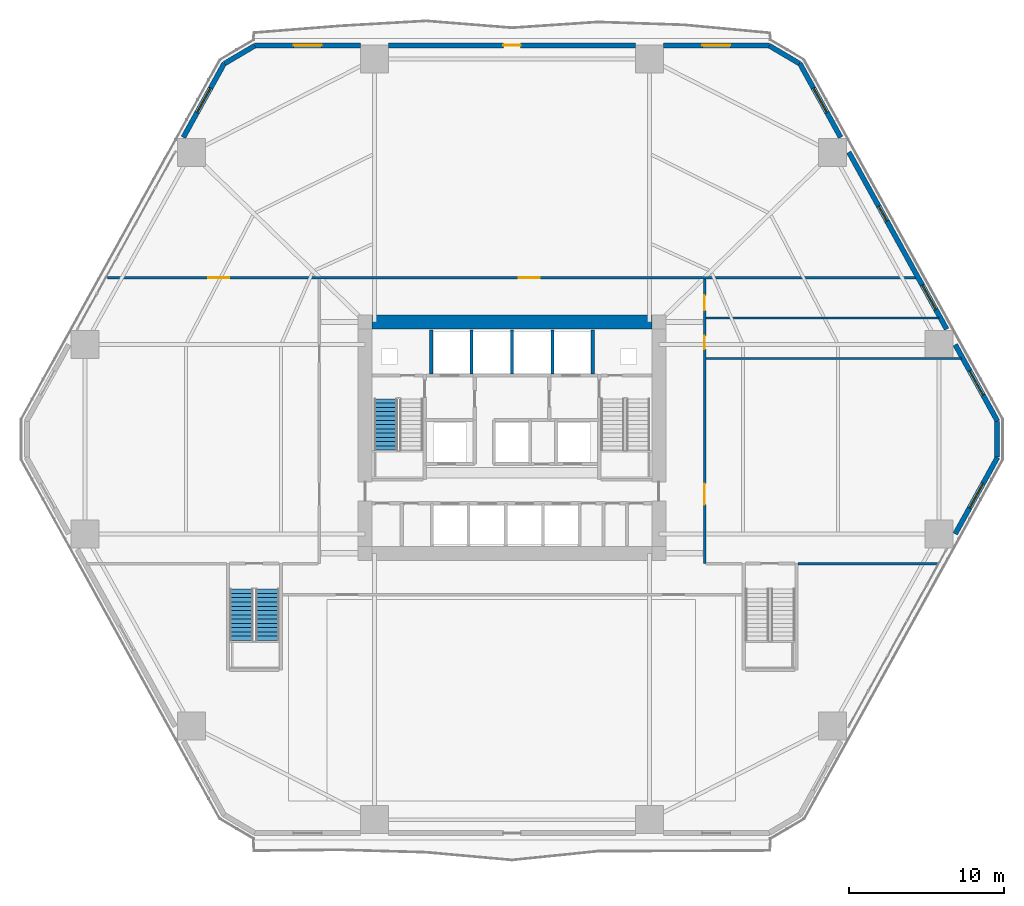
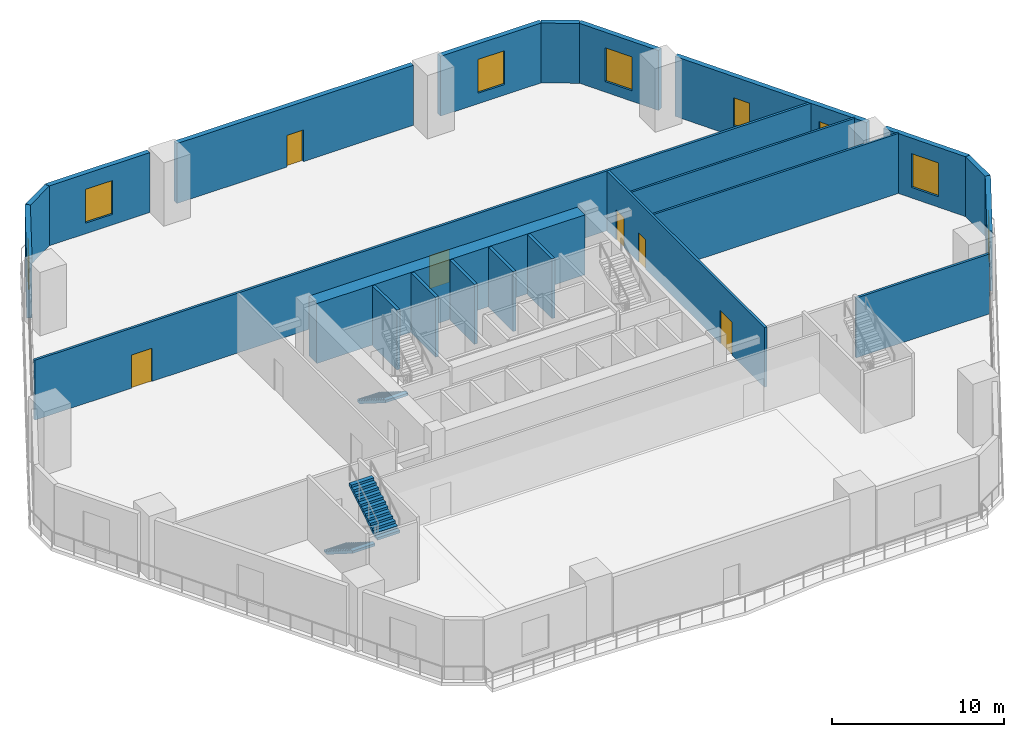
# One storey, part 11 of 18: 22 walls, 8 windows, 6 doors, 3 stair flights, 14 openings, 2 elements without a shape of their own.
"""IFC4 building model written with IfcOpenShell, lengths in metres."""

from ifc_helpers import new_model, si_unit, direction, frame, frame_2d, origin, place, context, subcontext, project, spatial, polyline, rectangle, outline, extrude, material, layer, layer_set, type_object, element, fill, aggregate, save


model = new_model("IFC4")

# Units and contexts
model_context = context("Model", 3, precision=1e-05, world=origin(), true_north=direction((0.0, 1.0)))
body_context = subcontext(model_context, "Body", "Model", "MODEL_VIEW")
ifc_project = project(units=[si_unit("LENGTHUNIT", "METRE"), si_unit("AREAUNIT", "SQUARE_METRE"), si_unit("VOLUMEUNIT", "CUBIC_METRE"), si_unit("PLANEANGLEUNIT", "RADIAN"), si_unit("MASSUNIT", "GRAM", prefix="KILO")], contexts=[model_context])

# Site, building, storey
site_placement = place(None, origin())
site = spatial("IfcSite", under=ifc_project, at=site_placement, CompositionType="ELEMENT")
building_placement = place(site_placement, origin())
building = spatial("IfcBuilding", under=site, at=building_placement, Name="Cinnabar Lancet Tower", CompositionType="ELEMENT")
storey_placement = place(building_placement, frame((0.0, 0.0, 10.5)))
storey = spatial("IfcBuildingStorey", under=building, at=storey_placement, Name="L02", CompositionType="ELEMENT", Elevation=10.5)

# Wall
ifc_material_1 = material(Name="Acoustic twin-stud gypsum partition", Category="gypsum")
ifc_layer_1 = layer(ifc_material_1, 0.159912109375)
ifc_layer_set_1 = layer_set([ifc_layer_1], Name="Acoustic twin-stud gypsum partition")
wall_type_1 = type_object("IfcWallType", Name="ARC-WL-CORR-160", PredefinedType="PARTITIONING", material=ifc_layer_set_1)
wall_1_placement = place(storey_placement, frame((50.824951171875, 17.800048828125, 0.0), z_axis=(0.0, 0.0, 1.0), x_axis=(1.0, 0.0, 0.0)))
element("IfcWall", 1, at=wall_1_placement, inside=storey, type_object=wall_type_1, Name="PW-L02-ESF", PredefinedType="PARTITIONING", context=body_context, shape_type="SweptSolid", body=[
    extrude(rectangle(XDim=8.955078125, YDim=0.159912109375, at=frame_2d((4.4775390625, 0.0))), origin(), (0.0, 0.0, 1.0), 4.25),
])

# Wall, openings, doors
wall_2_placement = place(storey_placement, frame((44.800048828125, 17.800048828125, 0.0), z_axis=(0.0, 0.0, 1.0), x_axis=(0.0, 1.0, 0.0)))
wall_2 = element("IfcWall", 2, at=wall_2_placement, inside=storey, type_object=wall_type_1, Name="PW-L02-EWG", PredefinedType="PARTITIONING", context=body_context, shape_type="SweptSolid", body=[
    extrude(rectangle(XDim=18.31494140625, YDim=0.159912109375, at=frame_2d((9.157470703125, 0.0))), origin(), (0.0, 0.0, 1.0), 4.25),
])
opening_1_placement = place(wall_2_placement, frame((3.800048828125, 0.0, 0.0)))
opening_1 = element("IfcOpeningElement", 3, at=opening_1_placement, cuts=wall_2, Name="Opening UD-02", PredefinedType="OPENING", context=body_context, shape_type="SweptSolid", body=[
    extrude(rectangle(XDim=1.35009765625, YDim=2.35009765625, at=frame_2d((0.675048828125, 1.175048828125))), frame((0.0, 0.08984375, 0.0), z_axis=(0.0, -1.0, 0.0), x_axis=(1.0, 0.0, 0.0)), (0.0, 0.0, 1.0), 0.179931640625),
])
opening_2_placement = place(wall_2_placement, frame((13.800048828125, 0.0, 0.0)))
opening_2 = element("IfcOpeningElement", 4, at=opening_2_placement, cuts=wall_2, Name="Opening BD-01", PredefinedType="OPENING", context=body_context, shape_type="SweptSolid", body=[
    extrude(rectangle(XDim=0.860107421875, YDim=2.10009765625, at=frame_2d((0.43017578125, 1.050048828125))), frame((0.0, 0.08984375, 0.0), z_axis=(0.0, -1.0, 0.0), x_axis=(1.0, 0.0, 0.0)), (0.0, 0.0, 1.0), 0.179931640625),
])
opening_3_placement = place(wall_2_placement, frame((16.300048828125, 0.0, 0.0)))
opening_3 = element("IfcOpeningElement", 5, at=opening_3_placement, cuts=wall_2, Name="Opening BD-02", PredefinedType="OPENING", context=body_context, shape_type="SweptSolid", body=[
    extrude(rectangle(XDim=0.9599609375, YDim=2.14990234375, at=frame_2d((0.47998046875, 1.074951171875))), frame((0.0, 0.08984375, 0.0), z_axis=(0.0, -1.0, 0.0), x_axis=(1.0, 0.0, 0.0)), (0.0, 0.0, 1.0), 0.179931640625),
])
ifc_material_2 = material(Name="Accessible wide-leaf washroom door", Category="wood")
door_type_1 = type_object("IfcDoorType", Name="ARC-DR-ACCWC", OperationType="NOTDEFINED", PredefinedType="DOOR", material=ifc_material_2)
door_1_placement = place(opening_3_placement, origin())
door_1 = element("IfcDoor", 6, at=door_1_placement, inside=storey, type_object=door_type_1, Name="DR-L02-ACCWC", OperationType="SINGLE_SWING_RIGHT", OverallHeight=2.14990234375, OverallWidth=0.9599609375, PredefinedType="DOOR", context=body_context, shape_type="SweptSolid", body=[
    extrude(rectangle(XDim=0.9599609375, YDim=2.14990234375, at=frame_2d((0.47998046875, 1.074951171875))), frame((0.0, 0.02490234375, 0.0), z_axis=(0.0, -1.0, 0.0), x_axis=(1.0, 0.0, 0.0)), (0.0, 0.0, 1.0), 0.050048828125),
])
fill(opening_3, door_1)
ifc_material_3 = material(Name="Moisture-resistant timber bathroom door", Category="wood")
door_type_2 = type_object("IfcDoorType", Name="ARC-DR-BATH", OperationType="NOTDEFINED", PredefinedType="DOOR", material=ifc_material_3)
door_2_placement = place(opening_2_placement, origin())
door_2 = element("IfcDoor", 7, at=door_2_placement, inside=storey, type_object=door_type_2, Name="DR-L02-PUBWC", OperationType="SINGLE_SWING_LEFT", OverallHeight=2.10009765625, OverallWidth=0.860107421875, PredefinedType="DOOR", context=body_context, shape_type="SweptSolid", body=[
    extrude(rectangle(XDim=0.860107421875, YDim=2.10009765625, at=frame_2d((0.43017578125, 1.050048828125))), frame((0.0, 0.02490234375, 0.0), z_axis=(0.0, -1.0, 0.0), x_axis=(1.0, 0.0, 0.0)), (0.0, 0.0, 1.0), 0.050048828125),
])
fill(opening_2, door_2)
ifc_material_4 = material(Name="Double-leaf solid timber penthouse entrance door", Category="wood")
door_type_3 = type_object("IfcDoorType", Name="ARC-DR-UNIT-PH", OperationType="NOTDEFINED", PredefinedType="DOOR", material=ifc_material_4)
door_3_placement = place(opening_1_placement, origin())
door_3 = element("IfcDoor", 8, at=door_3_placement, inside=storey, type_object=door_type_3, Name="DR-L02-EAST1", OperationType="SINGLE_SWING_RIGHT", OverallHeight=2.35009765625, OverallWidth=1.35009765625, PredefinedType="DOOR", context=body_context, shape_type="SweptSolid", body=[
    extrude(rectangle(XDim=1.35009765625, YDim=2.35009765625, at=frame_2d((0.675048828125, 1.175048828125))), frame((0.0, 0.02490234375, 0.0), z_axis=(0.0, -1.0, 0.0), x_axis=(1.0, 0.0, 0.0)), (0.0, 0.0, 1.0), 0.050048828125),
])
fill(opening_1, door_3)

wall_3_placement = place(storey_placement, frame((6.345947265625, 36.199951171875, 0.0), z_axis=(0.0, 0.0, 1.0), x_axis=(1.0, 0.0, 0.0)))
wall_3 = element("IfcWall", 9, at=wall_3_placement, inside=storey, type_object=wall_type_1, Name="PW-L02-NHL", PredefinedType="PARTITIONING", context=body_context, shape_type="SweptSolid", body=[
    extrude(rectangle(XDim=52.108154296875, YDim=0.159912109375, at=frame_2d((26.05419921875, 0.0))), origin(), (0.0, 0.0, 1.0), 4.25),
])
opening_4_placement = place(wall_3_placement, frame((6.5, 0.0, 0.0)))
opening_4 = element("IfcOpeningElement", 10, at=opening_4_placement, cuts=wall_3, Name="Opening UD-02", PredefinedType="OPENING", context=body_context, shape_type="SweptSolid", body=[
    extrude(rectangle(XDim=1.35009765625, YDim=2.35009765625, at=frame_2d((0.675048828125, 1.175048828125))), frame((0.0, 0.08984375, 0.0), z_axis=(0.0, -1.0, 0.0), x_axis=(1.0, 0.0, 0.0)), (0.0, 0.0, 1.0), 0.179931640625),
])
opening_5_placement = place(wall_3_placement, frame((26.5, 0.0, 0.0)))
opening_5 = element("IfcOpeningElement", 11, at=opening_5_placement, cuts=wall_3, Name="Opening UD-02", PredefinedType="OPENING", context=body_context, shape_type="SweptSolid", body=[
    extrude(rectangle(XDim=1.35009765625, YDim=2.35009765625, at=frame_2d((0.675048828125, 1.175048828125))), frame((0.0, 0.08984375, 0.0), z_axis=(0.0, -1.0, 0.0), x_axis=(1.0, 0.0, 0.0)), (0.0, 0.0, 1.0), 0.179931640625),
])
door_4_placement = place(opening_4_placement, origin())
door_4 = element("IfcDoor", 12, at=door_4_placement, inside=storey, type_object=door_type_3, Name="DR-L02-NORTH1", OperationType="SINGLE_SWING_LEFT", OverallHeight=2.35009765625, OverallWidth=1.35009765625, PredefinedType="DOOR", context=body_context, shape_type="SweptSolid", body=[
    extrude(rectangle(XDim=1.35009765625, YDim=2.35009765625, at=frame_2d((0.675048828125, 1.175048828125))), frame((0.0, 0.02490234375, 0.0), z_axis=(0.0, -1.0, 0.0), x_axis=(1.0, 0.0, 0.0)), (0.0, 0.0, 1.0), 0.050048828125),
])
fill(opening_4, door_4)
door_5_placement = place(opening_5_placement, origin())
door_5 = element("IfcDoor", 13, at=door_5_placement, inside=storey, type_object=door_type_3, Name="DR-L02-NORTH2", OperationType="SINGLE_SWING_RIGHT", OverallHeight=2.35009765625, OverallWidth=1.35009765625, PredefinedType="DOOR", context=body_context, shape_type="SweptSolid", body=[
    extrude(rectangle(XDim=1.35009765625, YDim=2.35009765625, at=frame_2d((0.675048828125, 1.175048828125))), frame((0.0, 0.02490234375, 0.0), z_axis=(0.0, -1.0, 0.0), x_axis=(1.0, 0.0, 0.0)), (0.0, 0.0, 1.0), 0.050048828125),
])
fill(opening_5, door_5)

# Walls
ifc_material_5 = material(Name="Autoclaved aerated concrete blockwork", Category="masonry")
ifc_layer_2 = layer(ifc_material_5, 0.199951171875)
ifc_layer_set_2 = layer_set([ifc_layer_2], Name="Autoclaved aerated concrete blockwork")
wall_type_2 = type_object("IfcWallType", Name="ARC-WL-SHAFT-200", PredefinedType="PLUMBINGWALL", material=ifc_layer_set_2)
for number, where, z_axis, x_axis, name in (
    (14, (27.199951171875, 30.0, 0.0), (0.0, 0.0, 1.0), (0.0, 1.0, 0.0), "CW-NSH-D1-L02"),
    (15, (29.800048828125, 30.0, 0.0), (0.0, 0.0, 1.0), (0.0, 1.0, 0.0), "CW-NSH-D2-L02"),
    (16, (32.39990234375, 30.0, 0.0), (0.0, 0.0, 1.0), (0.0, 1.0, 0.0), "CW-NSH-D3-L02"),
    (17, (35.0, 30.0, 0.0), (0.0, 0.0, 1.0), (0.0, 1.0, 0.0), "CW-NSH-D4-L02"),
    (18, (37.60009765625, 30.0, 0.0), (0.0, 0.0, 1.0), (0.0, 1.0, 0.0), "CW-NSH-D5-L02"),
):
    element("IfcWall", number, at=place(storey_placement, frame(where, z_axis=z_axis, x_axis=x_axis)), inside=storey, type_object=wall_type_2, Name=name, PredefinedType="PLUMBINGWALL", context=body_context, shape_type="SweptSolid", body=[
        extrude(rectangle(XDim=2.85009765625, YDim=0.199951171875, at=frame_2d((1.425048828125, 0.0))), origin(), (0.0, 0.0, 1.0), 4.25),
    ])
ifc_material_6 = material(Name="Moisture-resistant cement-board plumbing wall", Category="masonry")
ifc_layer_3 = layer(ifc_material_6, 0.139892578125)
ifc_layer_set_3 = layer_set([ifc_layer_3], Name="Moisture-resistant cement-board plumbing wall")
wall_type_3 = type_object("IfcWallType", Name="ARC-WL-WET-140", PredefinedType="PLUMBINGWALL", material=ifc_layer_set_3)
wall_4_placement = place(storey_placement, frame((44.885009765625, 31.0, 0.0), z_axis=(0.0, 0.0, 1.0), x_axis=(1.0, 0.0, 0.0)))
element("IfcWall", 19, at=wall_4_placement, inside=storey, type_object=wall_type_3, Name="PW-L02-WCS", PredefinedType="PLUMBINGWALL", context=body_context, shape_type="SweptSolid", body=[
    extrude(rectangle(XDim=16.44189453125, YDim=0.139892578125, at=frame_2d((8.220947265625, 0.0))), origin(), (0.0, 0.0, 1.0), 4.25),
])
wall_5_placement = place(storey_placement, frame((44.885009765625, 33.60009765625, 0.0), z_axis=(0.0, 0.0, 1.0), x_axis=(1.0, 0.0, 0.0)))
element("IfcWall", 20, at=wall_5_placement, inside=storey, type_object=wall_type_3, Name="PW-L02-WCM", PredefinedType="PLUMBINGWALL", context=body_context, shape_type="SweptSolid", body=[
    extrude(rectangle(XDim=15.006103515625, YDim=0.139892578125, at=frame_2d((7.5029296875, 0.0))), origin(), (0.0, 0.0, 1.0), 4.25),
])
ifc_material_7 = material(Name="Warm buff clay brick", Category="masonry")
ifc_layer_4 = layer(ifc_material_7, 0.320068359375)
ifc_layer_set_4 = layer_set([ifc_layer_4], Name="Warm buff clay brick")
wall_type_4 = type_object("IfcWallType", Name="ENV-WL-BRK-BUF-320", PredefinedType="STANDARD", material=ifc_layer_set_4)
wall_6_placement = place(storey_placement, frame((63.635009765625, 24.64599609375, 0.0), z_axis=(0.0, 0.0, 1.0), x_axis=(0.0, 1.0, 0.0)))
element("IfcWall", 21, at=wall_6_placement, inside=storey, type_object=wall_type_4, Name="L02 Chamfered Corner Brick Pier 3.1", PredefinedType="STANDARD", context=body_context, shape_type="SweptSolid", body=[
    extrude(rectangle(XDim=2.30810546875, YDim=0.320068359375, at=frame_2d((1.154052734375, 0.0))), origin(), (0.0, 0.0, 1.0), 4.25),
])
wall_7_placement = place(storey_placement, frame((50.903076171875, 49.991943359375, 0.0), z_axis=(0.0, 0.0, 1.0), x_axis=(-0.861209017918, 0.508250949293, 0.0)))
element("IfcWall", 22, at=wall_7_placement, inside=storey, type_object=wall_type_4, Name="L02 Chamfered Corner Brick Pier 4.1", PredefinedType="STANDARD", context=body_context, shape_type="SweptSolid", body=[
    extrude(rectangle(XDim=2.2529296875, YDim=0.320068359375, at=frame_2d((1.12646484375, 0.0))), origin(), (0.0, 0.0, 1.0), 4.25),
])
wall_8_placement = place(storey_placement, frame((15.8369140625, 51.136962890625, 0.0), z_axis=(0.0, 0.0, 1.0), x_axis=(-0.861181020205, -0.508298387209, 0.0)))
element("IfcWall", 23, at=wall_8_placement, inside=storey, type_object=wall_type_4, Name="L02 Chamfered Corner Brick Pier 5.1", PredefinedType="STANDARD", context=body_context, shape_type="SweptSolid", body=[
    extrude(rectangle(XDim=2.252685546875, YDim=0.320068359375, at=frame_2d((1.12646484375, 0.0))), origin(), (0.0, 0.0, 1.0), 4.25),
])

# Wall, opening, window
wall_9_placement = place(storey_placement, frame((60.93408203125, 19.7119140625, 0.0), z_axis=(0.0, 0.0, 1.0), x_axis=(0.483638013798, 0.875268114128, 0.0)))
wall_9 = element("IfcWall", 24, at=wall_9_placement, inside=storey, type_object=wall_type_4, Name="L02 Face 2 Masonry Bay Wall 3", PredefinedType="STANDARD", context=body_context, shape_type="SweptSolid", body=[
    extrude(rectangle(XDim=5.6279296875, YDim=0.320068359375, at=frame_2d((2.81396484375, 0.0))), origin(), (0.0, 0.0, 1.0), 4.25),
])
opening_6_placement = place(wall_9_placement, frame((1.9140625, 0.0, 0.75)))
opening_6 = element("IfcOpeningElement", 25, at=opening_6_placement, cuts=wall_9, Name="Opening WN-05", PredefinedType="OPENING", context=body_context, shape_type="SweptSolid", body=[
    extrude(rectangle(XDim=1.800048828125, YDim=2.39990234375, at=frame_2d((0.89990234375, 1.199951171875))), frame((0.0, 0.169921875, 0.0), z_axis=(0.0, -1.0, 0.0), x_axis=(1.0, 0.0, 0.0)), (0.0, 0.0, 1.0), 0.340087890625),
])
ifc_material_8 = material(Name="Thermally broken bronze-anodized aluminium podium lancet window", Category="aluminium")
window_type_1 = type_object("IfcWindowType", Name="ENV-WN-POD-1800", PartitioningType="SINGLE_PANEL", PredefinedType="WINDOW", material=ifc_material_8)
window_1_placement = place(opening_6_placement, origin())
window_1 = element("IfcWindow", 26, at=window_1_placement, inside=storey, type_object=window_type_1, Name="L02 Face 2 Gothic Lancet Window 3", OverallHeight=2.39990234375, OverallWidth=1.800048828125, PartitioningType="SINGLE_PANEL", PredefinedType="WINDOW", context=body_context, shape_type="SweptSolid", body=[
    extrude(rectangle(XDim=1.800048828125, YDim=2.39990234375, at=frame_2d((0.89990234375, 1.199951171875))), frame((0.0, 0.030029296875, 0.0), z_axis=(0.0, -1.0, 0.0), x_axis=(1.0, 0.0, 0.0)), (0.0, 0.0, 1.0), 0.06005859375),
])
fill(opening_6, window_1)

wall_10_placement = place(storey_placement, frame((63.656005859375, 26.9619140625, 0.0), z_axis=(0.0, 0.0, 1.0), x_axis=(-0.483638013798, 0.875268114128, 0.0)))
wall_10 = element("IfcWall", 27, at=wall_10_placement, inside=storey, type_object=wall_type_4, Name="L02 Face 3 Masonry Bay Wall 1", PredefinedType="STANDARD", context=body_context, shape_type="SweptSolid", body=[
    extrude(rectangle(XDim=5.6279296875, YDim=0.320068359375, at=frame_2d((2.81396484375, 0.0))), origin(), (0.0, 0.0, 1.0), 4.25),
])
opening_7_placement = place(wall_10_placement, frame((1.9140625, 0.0, 0.75)))
opening_7 = element("IfcOpeningElement", 28, at=opening_7_placement, cuts=wall_10, Name="Opening WN-05", PredefinedType="OPENING", context=body_context, shape_type="SweptSolid", body=[
    extrude(rectangle(XDim=1.800048828125, YDim=2.39990234375, at=frame_2d((0.89990234375, 1.199951171875))), frame((0.0, 0.169921875, 0.0), z_axis=(0.0, -1.0, 0.0), x_axis=(1.0, 0.0, 0.0)), (0.0, 0.0, 1.0), 0.340087890625),
])
window_2_placement = place(opening_7_placement, origin())
window_2 = element("IfcWindow", 29, at=window_2_placement, inside=storey, type_object=window_type_1, Name="L02 Face 3 Gothic Lancet Window 1", OverallHeight=2.39990234375, OverallWidth=1.800048828125, PartitioningType="SINGLE_PANEL", PredefinedType="WINDOW", context=body_context, shape_type="SweptSolid", body=[
    extrude(rectangle(XDim=1.800048828125, YDim=2.39990234375, at=frame_2d((0.89990234375, 1.199951171875))), frame((0.0, 0.030029296875, 0.0), z_axis=(0.0, -1.0, 0.0), x_axis=(1.0, 0.0, 0.0)), (0.0, 0.0, 1.0), 0.06005859375),
])
fill(opening_7, window_2)

# Wall, openings, windows
wall_11_placement = place(storey_placement, frame((60.381103515625, 32.888916015625, 0.0), z_axis=(0.0, 0.0, 1.0), x_axis=(-0.483690649574, 0.875239027646, 0.0)))
wall_11 = element("IfcWall", 30, at=wall_11_placement, inside=storey, type_object=wall_type_4, Name="L02 Face 3 Masonry Bay Wall 2", PredefinedType="STANDARD", context=body_context, shape_type="SweptSolid", body=[
    extrude(rectangle(XDim=13.014892578125, YDim=0.320068359375, at=frame_2d((6.50732421875, 0.0))), origin(), (0.0, 0.0, 1.0), 4.25),
])
opening_8_placement = place(wall_11_placement, frame((1.43896484375, 0.0, 0.75)))
opening_8 = element("IfcOpeningElement", 31, at=opening_8_placement, cuts=wall_11, Name="Opening WN-05", PredefinedType="OPENING", context=body_context, shape_type="SweptSolid", body=[
    extrude(rectangle(XDim=1.800048828125, YDim=2.39990234375, at=frame_2d((0.89990234375, 1.199951171875))), frame((0.0, 0.169921875, 0.0), z_axis=(0.0, -1.0, 0.0), x_axis=(1.0, 0.0, 0.0)), (0.0, 0.0, 1.0), 0.340087890625),
])
opening_9_placement = place(wall_11_placement, frame((7.943115234375, 0.0, 0.75)))
opening_9 = element("IfcOpeningElement", 32, at=opening_9_placement, cuts=wall_11, Name="Opening WN-04", PredefinedType="OPENING", context=body_context, shape_type="SweptSolid", body=[
    extrude(rectangle(XDim=1.10009765625, YDim=2.0, at=frame_2d((0.550048828125, 1.0))), frame((0.0, 0.169921875, 0.0), z_axis=(0.0, -1.0, 0.0), x_axis=(1.0, 0.0, 0.0)), (0.0, 0.0, 1.0), 0.340087890625),
])
ifc_material_9 = material(Name="Thermally broken bronze-anodized aluminium tall lancet window", Category="aluminium")
window_type_2 = type_object("IfcWindowType", Name="ENV-WN-LANCET-1100", PartitioningType="SINGLE_PANEL", PredefinedType="WINDOW", material=ifc_material_9)
window_3_placement = place(opening_9_placement, origin())
window_3 = element("IfcWindow", 33, at=window_3_placement, inside=storey, type_object=window_type_2, Name="L02 Split-Bay Gothic Lancet Window 2", OverallHeight=2.0, OverallWidth=1.10009765625, PartitioningType="SINGLE_PANEL", PredefinedType="WINDOW", context=body_context, shape_type="SweptSolid", body=[
    extrude(rectangle(XDim=1.10009765625, YDim=2.0, at=frame_2d((0.550048828125, 1.0))), frame((0.0, 0.030029296875, 0.0), z_axis=(0.0, -1.0, 0.0), x_axis=(1.0, 0.0, 0.0)), (0.0, 0.0, 1.0), 0.06005859375),
])
fill(opening_9, window_3)
window_4_placement = place(opening_8_placement, origin())
window_4 = element("IfcWindow", 34, at=window_4_placement, inside=storey, type_object=window_type_1, Name="L02 Face 3 Gothic Lancet Window 2", OverallHeight=2.39990234375, OverallWidth=1.800048828125, PartitioningType="SINGLE_PANEL", PredefinedType="WINDOW", context=body_context, shape_type="SweptSolid", body=[
    extrude(rectangle(XDim=1.800048828125, YDim=2.39990234375, at=frame_2d((0.89990234375, 1.199951171875))), frame((0.0, 0.030029296875, 0.0), z_axis=(0.0, -1.0, 0.0), x_axis=(1.0, 0.0, 0.0)), (0.0, 0.0, 1.0), 0.06005859375),
])
fill(opening_8, window_4)

# Wall, opening, window
wall_12_placement = place(storey_placement, frame((53.556884765625, 45.237060546875, 0.0), z_axis=(0.0, 0.0, 1.0), x_axis=(-0.483675274773, 0.875247524174, 0.0)))
wall_12 = element("IfcWall", 35, at=wall_12_placement, inside=storey, type_object=wall_type_4, Name="L02 Face 3 Masonry Bay Wall 3", PredefinedType="STANDARD", context=body_context, shape_type="SweptSolid", body=[
    extrude(rectangle(XDim=5.449951171875, YDim=0.320068359375, at=frame_2d((2.72509765625, 0.0))), origin(), (0.0, 0.0, 1.0), 4.25),
])
opening_10_placement = place(wall_12_placement, frame((1.824951171875, 0.0, 0.75)))
opening_10 = element("IfcOpeningElement", 36, at=opening_10_placement, cuts=wall_12, Name="Opening WN-05", PredefinedType="OPENING", context=body_context, shape_type="SweptSolid", body=[
    extrude(rectangle(XDim=1.800048828125, YDim=2.39990234375, at=frame_2d((0.89990234375, 1.199951171875))), frame((0.0, 0.169921875, 0.0), z_axis=(0.0, -1.0, 0.0), x_axis=(1.0, 0.0, 0.0)), (0.0, 0.0, 1.0), 0.340087890625),
])
window_5_placement = place(opening_10_placement, origin())
window_5 = element("IfcWindow", 37, at=window_5_placement, inside=storey, type_object=window_type_1, Name="L02 Face 3 Gothic Lancet Window 3", OverallHeight=2.39990234375, OverallWidth=1.800048828125, PartitioningType="SINGLE_PANEL", PredefinedType="WINDOW", context=body_context, shape_type="SweptSolid", body=[
    extrude(rectangle(XDim=1.800048828125, YDim=2.39990234375, at=frame_2d((0.89990234375, 1.199951171875))), frame((0.0, 0.030029296875, 0.0), z_axis=(0.0, -1.0, 0.0), x_axis=(1.0, 0.0, 0.0)), (0.0, 0.0, 1.0), 0.06005859375),
])
fill(opening_10, window_5)

wall_13_placement = place(storey_placement, frame((48.968017578125, 51.159912109375, 0.0), z_axis=(0.0, 0.0, 1.0), x_axis=(-1.0, 0.0, 0.0)))
wall_13 = element("IfcWall", 38, at=wall_13_placement, inside=storey, type_object=wall_type_4, Name="L02 Face 4 Masonry Bay Wall 1", PredefinedType="STANDARD", context=body_context, shape_type="SweptSolid", body=[
    extrude(rectangle(XDim=6.819091796875, YDim=0.320068359375, at=frame_2d((3.40966796875, 0.0))), origin(), (0.0, 0.0, 1.0), 4.25),
])
opening_11_placement = place(wall_13_placement, frame((2.510009765625, 0.0, 0.75)))
opening_11 = element("IfcOpeningElement", 39, at=opening_11_placement, cuts=wall_13, Name="Opening WN-05", PredefinedType="OPENING", context=body_context, shape_type="SweptSolid", body=[
    extrude(rectangle(XDim=1.800048828125, YDim=2.39990234375, at=frame_2d((0.89990234375, 1.199951171875))), frame((0.0, 0.169921875, 0.0), z_axis=(0.0, -1.0, 0.0), x_axis=(1.0, 0.0, 0.0)), (0.0, 0.0, 1.0), 0.340087890625),
])
window_6_placement = place(opening_11_placement, origin())
window_6 = element("IfcWindow", 40, at=window_6_placement, inside=storey, type_object=window_type_1, Name="L02 Face 4 Gothic Lancet Window 1", OverallHeight=2.39990234375, OverallWidth=1.800048828125, PartitioningType="SINGLE_PANEL", PredefinedType="WINDOW", context=body_context, shape_type="SweptSolid", body=[
    extrude(rectangle(XDim=1.800048828125, YDim=2.39990234375, at=frame_2d((0.89990234375, 1.199951171875))), frame((0.0, 0.030029296875, 0.0), z_axis=(0.0, -1.0, 0.0), x_axis=(1.0, 0.0, 0.0)), (0.0, 0.0, 1.0), 0.06005859375),
])
fill(opening_11, window_6)

# Wall, opening, door
wall_14_placement = place(storey_placement, frame((40.341064453125, 51.159912109375, 0.0), z_axis=(0.0, 0.0, 1.0), x_axis=(-1.0, 0.0, 0.0)))
wall_14 = element("IfcWall", 41, at=wall_14_placement, inside=storey, type_object=wall_type_4, Name="L02 Face 4 Masonry Bay Wall 2", PredefinedType="STANDARD", context=body_context, shape_type="SweptSolid", body=[
    extrude(rectangle(XDim=15.882080078125, YDim=0.320068359375, at=frame_2d((7.94091796875, 0.0))), origin(), (0.0, 0.0, 1.0), 4.25),
])
opening_12_placement = place(wall_14_placement, frame((7.39111328125, 0.0, 0.0)))
opening_12 = element("IfcOpeningElement", 42, at=opening_12_placement, cuts=wall_14, Name="Opening TD-01", PredefinedType="OPENING", context=body_context, shape_type="SweptSolid", body=[
    extrude(rectangle(XDim=1.10009765625, YDim=2.25, at=frame_2d((0.550048828125, 1.125))), frame((0.0, 0.169921875, 0.0), z_axis=(0.0, -1.0, 0.0), x_axis=(1.0, 0.0, 0.0)), (0.0, 0.0, 1.0), 0.340087890625),
])
ifc_material_10 = material(Name="Thermally broken low-E glazed balcony terrace door", Category="wood")
door_type_4 = type_object("IfcDoorType", Name="ARC-DR-BALC", OperationType="NOTDEFINED", PredefinedType="DOOR", material=ifc_material_10)
door_6_placement = place(opening_12_placement, origin())
door_6 = element("IfcDoor", 43, at=door_6_placement, inside=storey, type_object=door_type_4, Name="L02 Face 4 Glazed Terrace Door", OperationType="SINGLE_SWING_LEFT", OverallHeight=2.25, OverallWidth=1.10009765625, PredefinedType="DOOR", context=body_context, shape_type="SweptSolid", body=[
    extrude(rectangle(XDim=1.10009765625, YDim=2.25, at=frame_2d((0.550048828125, 1.125))), frame((0.0, 0.02490234375, 0.0), z_axis=(0.0, -1.0, 0.0), x_axis=(1.0, 0.0, 0.0)), (0.0, 0.0, 1.0), 0.050048828125),
])
fill(opening_12, door_6)

# Wall, opening, window
wall_15_placement = place(storey_placement, frame((22.65087890625, 51.159912109375, 0.0), z_axis=(0.0, 0.0, 1.0), x_axis=(-1.0, 0.0, 0.0)))
wall_15 = element("IfcWall", 44, at=wall_15_placement, inside=storey, type_object=wall_type_4, Name="L02 Face 4 Masonry Bay Wall 3", PredefinedType="STANDARD", context=body_context, shape_type="SweptSolid", body=[
    extrude(rectangle(XDim=6.81884765625, YDim=0.320068359375, at=frame_2d((3.409423828125, 0.0))), origin(), (0.0, 0.0, 1.0), 4.25),
])
opening_13_placement = place(wall_15_placement, frame((2.509033203125, 0.0, 0.75)))
opening_13 = element("IfcOpeningElement", 45, at=opening_13_placement, cuts=wall_15, Name="Opening WN-05", PredefinedType="OPENING", context=body_context, shape_type="SweptSolid", body=[
    extrude(rectangle(XDim=1.800048828125, YDim=2.39990234375, at=frame_2d((0.89990234375, 1.199951171875))), frame((0.0, 0.169921875, 0.0), z_axis=(0.0, -1.0, 0.0), x_axis=(1.0, 0.0, 0.0)), (0.0, 0.0, 1.0), 0.340087890625),
])
window_7_placement = place(opening_13_placement, origin())
window_7 = element("IfcWindow", 46, at=window_7_placement, inside=storey, type_object=window_type_1, Name="L02 Face 4 Gothic Lancet Window 3", OverallHeight=2.39990234375, OverallWidth=1.800048828125, PartitioningType="SINGLE_PANEL", PredefinedType="WINDOW", context=body_context, shape_type="SweptSolid", body=[
    extrude(rectangle(XDim=1.800048828125, YDim=2.39990234375, at=frame_2d((0.89990234375, 1.199951171875))), frame((0.0, 0.030029296875, 0.0), z_axis=(0.0, -1.0, 0.0), x_axis=(1.0, 0.0, 0.0)), (0.0, 0.0, 1.0), 0.06005859375),
])
fill(opening_13, window_7)

wall_16_placement = place(storey_placement, frame((13.87890625, 50.007080078125, 0.0), z_axis=(0.0, 0.0, 1.0), x_axis=(-0.483675274773, -0.875247524174, 0.0)))
wall_16 = element("IfcWall", 47, at=wall_16_placement, inside=storey, type_object=wall_type_4, Name="L02 Face 5 Masonry Bay Wall 1", PredefinedType="STANDARD", context=body_context, shape_type="SweptSolid", body=[
    extrude(rectangle(XDim=5.449951171875, YDim=0.320068359375, at=frame_2d((2.72509765625, 0.0))), origin(), (0.0, 0.0, 1.0), 4.25),
])
opening_14_placement = place(wall_16_placement, frame((1.824951171875, 0.0, 0.75)))
opening_14 = element("IfcOpeningElement", 48, at=opening_14_placement, cuts=wall_16, Name="Opening WN-05", PredefinedType="OPENING", context=body_context, shape_type="SweptSolid", body=[
    extrude(rectangle(XDim=1.800048828125, YDim=2.39990234375, at=frame_2d((0.89990234375, 1.199951171875))), frame((0.0, 0.169921875, 0.0), z_axis=(0.0, -1.0, 0.0), x_axis=(1.0, 0.0, 0.0)), (0.0, 0.0, 1.0), 0.340087890625),
])
window_8_placement = place(opening_14_placement, origin())
window_8 = element("IfcWindow", 49, at=window_8_placement, inside=storey, type_object=window_type_1, Name="L02 Face 5 Gothic Lancet Window 1", OverallHeight=2.39990234375, OverallWidth=1.800048828125, PartitioningType="SINGLE_PANEL", PredefinedType="WINDOW", context=body_context, shape_type="SweptSolid", body=[
    extrude(rectangle(XDim=1.800048828125, YDim=2.39990234375, at=frame_2d((0.89990234375, 1.199951171875))), frame((0.0, 0.030029296875, 0.0), z_axis=(0.0, -1.0, 0.0), x_axis=(1.0, 0.0, 0.0)), (0.0, 0.0, 1.0), 0.06005859375),
])
fill(opening_14, window_8)

# Wall
ifc_material_11 = material(Name="Concrete C80/95", Category="concrete")
ifc_layer_5 = layer(ifc_material_11, 0.89990234375)
ifc_layer_set_5 = layer_set([ifc_layer_5], Name="Concrete C80/95")
wall_type_5 = type_object("IfcWallType", Name="STR-WL-CORE-900", PredefinedType="SHEAR", material=ifc_layer_set_5)
wall_17_placement = place(storey_placement, frame((23.39990234375, 33.35009765625, 0.0), z_axis=(0.0, 0.0, 1.0), x_axis=(1.0, 0.0, 0.0)))
element("IfcWall", 50, at=wall_17_placement, inside=storey, type_object=wall_type_5, Name="L02 Core Shear Wall N", PredefinedType="SHEAR", context=body_context, shape_type="SweptSolid", body=[
    extrude(rectangle(XDim=18.0, YDim=0.89990234375, at=frame_2d((9.0, 0.0))), origin(), (0.0, 0.0, 1.0), 4.25),
])

# Stair, stair flight
ifc_material_12 = material(Name="Concrete C40/50", Category="concrete")
stair_type_1 = type_object("IfcStairType", Name="ST-CORE", PredefinedType="HALF_TURN_STAIR", material=ifc_material_12)
stair_1_placement = place(storey_placement, origin())
stair_1 = element("IfcStair", 51, at=stair_1_placement, inside=storey, type_object=stair_type_1, Name="L02 ST-1", PredefinedType="HALF_TURN_STAIR")
ifc_material_13 = material(Name="Concrete C40/50", Category="concrete")
stair_flight_type_1 = type_object("IfcStairFlightType", Name="FLIGHT-CORE", PredefinedType="STRAIGHT", material=ifc_material_13)
stair_flight_1_placement = place(storey_placement, frame((24.27490234375, 28.39990234375, 0.0), z_axis=(0.0, 0.0, 1.0), x_axis=(0.0, -1.0, 0.0)))
stair_flight_1 = element("IfcStairFlight", 52, at=stair_flight_1_placement, type_object=stair_flight_type_1, Name="ST-1 flight 1", NumberOfRisers=13, NumberOfTreads=12, PredefinedType="STRAIGHT", RiserHeight=0.173076923, TreadLength=0.275, context=body_context, shape_type="SweptSolid", body=[
    extrude(outline(polyline([(0.0, 0.0), (0.0, 0.173095703125), (0.27490234375, 0.173095703125), (0.27490234375, 0.34619140625), (0.550048828125, 0.34619140625), (0.550048828125, 0.519287109375), (0.824951171875, 0.519287109375), (0.824951171875, 0.6923828125), (1.10009765625, 0.6923828125), (1.10009765625, 0.865478515625), (1.375, 0.865478515625), (1.375, 1.03857421875), (1.64990234375, 1.03857421875), (1.64990234375, 1.21142578125), (1.925048828125, 1.21142578125), (1.925048828125, 1.384521484375), (2.199951171875, 1.384521484375), (2.199951171875, 1.5576171875), (2.47509765625, 1.5576171875), (2.47509765625, 1.730712890625), (2.75, 1.730712890625), (2.75, 1.90380859375), (3.02490234375, 1.90380859375), (3.02490234375, 2.076904296875), (3.300048828125, 2.076904296875), (3.300048828125, 2.25), (3.300048828125, 1.89990234375), (0.281494140625, 0.0), (0.0, 0.0)])), frame((0.0, 0.75, 0.0), z_axis=(0.0, -1.0, 0.0), x_axis=(1.0, 0.0, 0.0)), (0.0, 0.0, 1.0), 1.5),
])
aggregate(stair_1, [stair_flight_1])

# Stair, stair flights
ifc_material_14 = material(Name="Concrete C40/50", Category="concrete")
stair_type_2 = type_object("IfcStairType", Name="ST-POD", PredefinedType="HALF_TURN_STAIR", material=ifc_material_14)
stair_2_placement = place(storey_placement, origin())
stair_2 = element("IfcStair", 53, at=stair_2_placement, inside=storey, type_object=stair_type_2, Name="L02 ST-3", PredefinedType="HALF_TURN_STAIR")
ifc_material_15 = material(Name="Concrete C40/50", Category="concrete")
stair_flight_type_2 = type_object("IfcStairFlightType", Name="FLIGHT-POD", PredefinedType="STRAIGHT", material=ifc_material_15)
stair_flight_2_placement = place(storey_placement, frame((14.985107421875, 16.14990234375, 0.0), z_axis=(0.0, 0.0, 1.0), x_axis=(0.0, -1.0, 0.0)))
stair_flight_2 = element("IfcStairFlight", 54, at=stair_flight_2_placement, type_object=stair_flight_type_2, Name="ST-3 flight 1", NumberOfRisers=13, NumberOfTreads=12, PredefinedType="STRAIGHT", RiserHeight=0.173076923, TreadLength=0.275, context=body_context, shape_type="SweptSolid", body=[
    extrude(outline(polyline([(0.0, 0.0), (0.0, 0.173095703125), (0.27490234375, 0.173095703125), (0.27490234375, 0.34619140625), (0.550048828125, 0.34619140625), (0.550048828125, 0.519287109375), (0.824951171875, 0.519287109375), (0.824951171875, 0.6923828125), (1.10009765625, 0.6923828125), (1.10009765625, 0.865478515625), (1.375, 0.865478515625), (1.375, 1.03857421875), (1.64990234375, 1.03857421875), (1.64990234375, 1.21142578125), (1.925048828125, 1.21142578125), (1.925048828125, 1.384521484375), (2.199951171875, 1.384521484375), (2.199951171875, 1.5576171875), (2.47509765625, 1.5576171875), (2.47509765625, 1.730712890625), (2.75, 1.730712890625), (2.75, 1.90380859375), (3.02490234375, 1.90380859375), (3.02490234375, 2.076904296875), (3.300048828125, 2.076904296875), (3.300048828125, 2.25), (3.300048828125, 1.89990234375), (0.281494140625, 0.0), (0.0, 0.0)])), frame((0.0, 0.760009765625, 0.0), z_axis=(0.0, -1.0, 0.0), x_axis=(1.0, 0.0, 0.0)), (0.0, 0.0, 1.0), 1.52001953125),
])
stair_flight_3_placement = place(storey_placement, frame((16.655029296875, 12.85009765625, 2.25), z_axis=(0.0, 0.0, 1.0), x_axis=(0.0, 1.0, 0.0)))
stair_flight_3 = element("IfcStairFlight", 55, at=stair_flight_3_placement, type_object=stair_flight_type_2, Name="ST-3 flight 2", NumberOfRisers=13, NumberOfTreads=12, PredefinedType="STRAIGHT", RiserHeight=0.173076923, TreadLength=0.275, context=body_context, shape_type="SweptSolid", body=[
    extrude(outline(polyline([(0.0, 0.0), (0.0, 0.173095703125), (0.27490234375, 0.173095703125), (0.27490234375, 0.34619140625), (0.550048828125, 0.34619140625), (0.550048828125, 0.519287109375), (0.824951171875, 0.519287109375), (0.824951171875, 0.6923828125), (1.10009765625, 0.6923828125), (1.10009765625, 0.865478515625), (1.375, 0.865478515625), (1.375, 1.03857421875), (1.64990234375, 1.03857421875), (1.64990234375, 1.21142578125), (1.925048828125, 1.21142578125), (1.925048828125, 1.384521484375), (2.199951171875, 1.384521484375), (2.199951171875, 1.5576171875), (2.47509765625, 1.5576171875), (2.47509765625, 1.730712890625), (2.75, 1.730712890625), (2.75, 1.90380859375), (3.02490234375, 1.90380859375), (3.02490234375, 2.076904296875), (3.300048828125, 2.076904296875), (3.300048828125, 2.25), (3.300048828125, 1.89990234375), (0.281494140625, 0.0), (0.0, 0.0)])), frame((0.0, 0.760009765625, 0.0), z_axis=(0.0, -1.0, 0.0), x_axis=(1.0, 0.0, 0.0)), (0.0, 0.0, 1.0), 1.52001953125),
])
aggregate(stair_2, [stair_flight_2, stair_flight_3])

save(model, "model.ifc")
